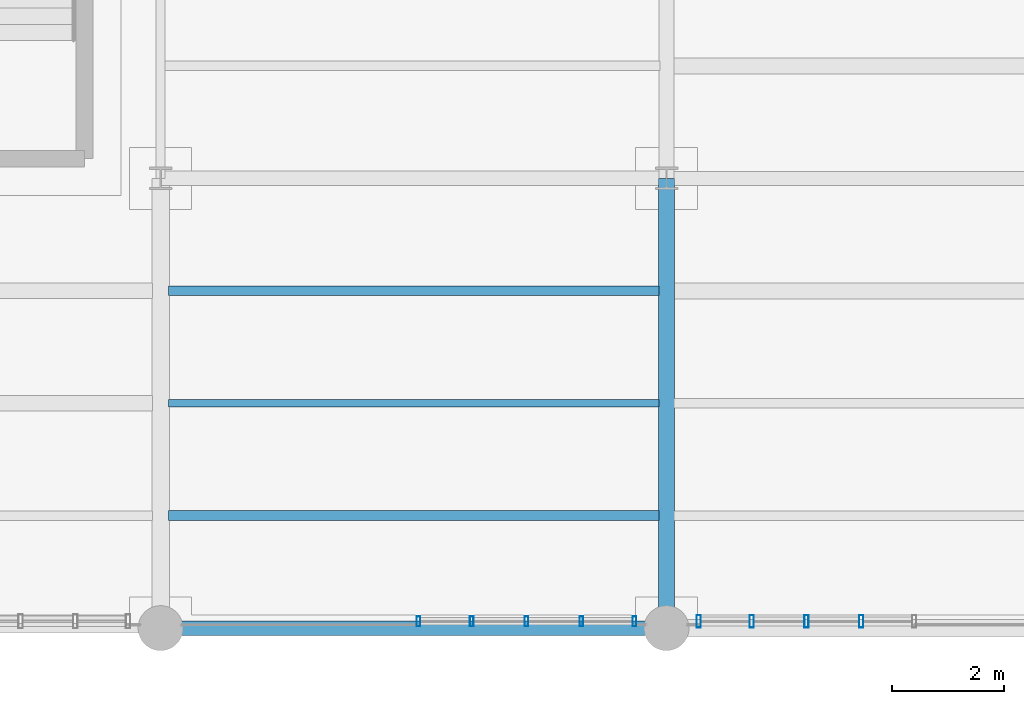
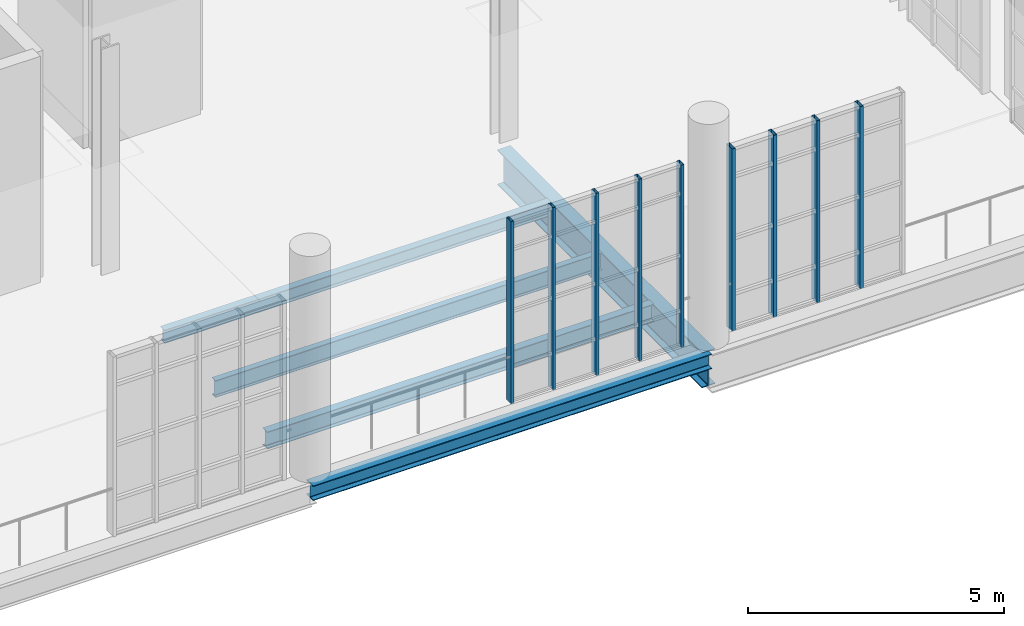
# One storey, part 71 of 142: 9 members, 5 beams, 2 elements without a shape of their own.
"""IFC4 building model written with IfcOpenShell, lengths in metres."""

from ifc_helpers import new_model, si_unit, direction, frame, origin, origin_2d, place, context, subcontext, project, spatial, hollow_rectangle, i_section, extrude, material, layer, layer_set, material_profile, profile_set, type_object, element, aggregate, save


model = new_model("IFC4")

# Units and contexts
model_context = context("Model", 3, precision=1e-05, world=origin(), true_north=direction((0.0, 1.0)))
body_context = subcontext(model_context, "Body", "Model", "MODEL_VIEW")
ifc_project = project(units=[si_unit("LENGTHUNIT", "METRE"), si_unit("AREAUNIT", "SQUARE_METRE"), si_unit("VOLUMEUNIT", "CUBIC_METRE"), si_unit("PLANEANGLEUNIT", "RADIAN"), si_unit("MASSUNIT", "GRAM", prefix="KILO"), si_unit("THERMODYNAMICTEMPERATUREUNIT", "KELVIN"), si_unit("POWERUNIT", "WATT")], contexts=[model_context])

# Site, building, storey
site_placement = place(None, origin())
site = spatial("IfcSite", under=ifc_project, at=site_placement, CompositionType="ELEMENT")
building_placement = place(site_placement, origin())
building = spatial("IfcBuilding", under=site, at=building_placement, Name="Zelmaris Science Centre", CompositionType="ELEMENT")
storey_placement = place(building_placement, frame((0.0, 0.0, 5.39990234375)))
storey = spatial("IfcBuildingStorey", under=building, at=storey_placement, Name="L01", CompositionType="ELEMENT", Elevation=5.39990234375)

# Curtain wall, members
ifc_material_1 = material(Name="Anodised architectural aluminium 6063-T6", Category="aluminium")
ifc_layer_1 = layer(ifc_material_1, 0.2099609375, Name="Anodised architectural aluminium 6063-T6")
ifc_layer_set_1 = layer_set([ifc_layer_1], Name="Anodised architectural aluminium 6063-T6")
curtain_wall_type_1 = type_object("IfcCurtainWallType", Name="Curtain Wall CW-03", PredefinedType="USERDEFINED", material=ifc_layer_set_1)
curtain_wall_1_placement = place(storey_placement, origin())
curtain_wall_1 = element("IfcCurtainWall", 1, at=curtain_wall_1_placement, inside=storey, type_object=curtain_wall_type_1, Name="L01 Unitised curtain wall 163", ObjectType="GLAZED CURTAIN WALL", PredefinedType="USERDEFINED")
ifc_material_profile_1 = material_profile(ifc_material_1, hollow_rectangle(XDim=0.06494140625, YDim=0.179931640625, WallThickness=0.00390625, at=origin_2d()), Name="ALU-MUL-65X180")
ifc_profile_set_1 = profile_set([ifc_material_profile_1], Name="Anodised architectural aluminium 6063-T6")
member_type_1 = type_object("IfcMemberType", Name="ALU-MUL-65X180", PredefinedType="MULLION", material=ifc_profile_set_1)
member_1_placement = place(storey_placement, frame((134.431396484375, 8.1201171875, -0.014892578125), z_axis=(0.0, 0.0, 1.0), x_axis=(-1.0, 0.0, 0.0)))
member_1 = element("IfcMember", 2, at=member_1_placement, type_object=member_type_1, Name="CW-03 mullion 1", PredefinedType="MULLION", context=body_context, shape_type="SweptSolid", body=[
    extrude(hollow_rectangle(XDim=0.06494140625, YDim=0.179931640625, WallThickness=0.00390625, at=origin_2d()), origin(), (0.0, 0.0, 1.0), 4.35009765625),
])
member_2_placement = place(storey_placement, frame((133.485107421875, 8.1201171875, -0.014892578125), z_axis=(0.0, 0.0, 1.0), x_axis=(-1.0, 0.0, 0.0)))
member_2 = element("IfcMember", 3, at=member_2_placement, type_object=member_type_1, Name="CW-03 mullion 2", PredefinedType="MULLION", context=body_context, shape_type="SweptSolid", body=[
    extrude(hollow_rectangle(XDim=0.06494140625, YDim=0.179931640625, WallThickness=0.00390625, at=origin_2d()), origin(), (0.0, 0.0, 1.0), 4.35009765625),
])
member_3_placement = place(storey_placement, frame((132.510009765625, 8.1201171875, -0.014892578125), z_axis=(0.0, 0.0, 1.0), x_axis=(-1.0, 0.0, 0.0)))
member_3 = element("IfcMember", 4, at=member_3_placement, type_object=member_type_1, Name="CW-03 mullion 3", PredefinedType="MULLION", context=body_context, shape_type="SweptSolid", body=[
    extrude(hollow_rectangle(XDim=0.06494140625, YDim=0.179931640625, WallThickness=0.00390625, at=origin_2d()), origin(), (0.0, 0.0, 1.0), 4.35009765625),
])
member_4_placement = place(storey_placement, frame((131.534912109375, 8.1201171875, -0.014892578125), z_axis=(0.0, 0.0, 1.0), x_axis=(-1.0, 0.0, 0.0)))
member_4 = element("IfcMember", 5, at=member_4_placement, type_object=member_type_1, Name="CW-03 mullion 4", PredefinedType="MULLION", context=body_context, shape_type="SweptSolid", body=[
    extrude(hollow_rectangle(XDim=0.06494140625, YDim=0.179931640625, WallThickness=0.00390625, at=origin_2d()), origin(), (0.0, 0.0, 1.0), 4.35009765625),
])
member_5_placement = place(storey_placement, frame((130.58837890625, 8.1201171875, -0.014892578125), z_axis=(0.0, 0.0, 1.0), x_axis=(-1.0, 0.0, 0.0)))
member_5 = element("IfcMember", 6, at=member_5_placement, type_object=member_type_1, Name="CW-03 mullion 5", PredefinedType="MULLION", context=body_context, shape_type="SweptSolid", body=[
    extrude(hollow_rectangle(XDim=0.06494140625, YDim=0.179931640625, WallThickness=0.00390625, at=origin_2d()), origin(), (0.0, 0.0, 1.0), 4.35009765625),
])
aggregate(curtain_wall_1, [member_1, member_2, member_3, member_4, member_5])

ifc_layer_2 = layer(ifc_material_1, 0.199951171875, Name="Anodised architectural aluminium 6063-T6")
ifc_layer_set_2 = layer_set([ifc_layer_2], Name="Anodised architectural aluminium 6063-T6")
curtain_wall_type_2 = type_object("IfcCurtainWallType", Name="Curtain Wall CW-02", PredefinedType="USERDEFINED", material=ifc_layer_set_2)
curtain_wall_2_placement = place(storey_placement, origin())
curtain_wall_2 = element("IfcCurtainWall", 7, at=curtain_wall_2_placement, inside=storey, type_object=curtain_wall_type_2, Name="L01 Unitised curtain wall 162", ObjectType="GLAZED CURTAIN WALL", PredefinedType="USERDEFINED")
ifc_material_profile_2 = material_profile(ifc_material_1, hollow_rectangle(XDim=0.074951171875, YDim=0.219970703125, WallThickness=0.0048828125, at=origin_2d()), Name="ALU-MUL-75X220")
ifc_profile_set_2 = profile_set([ifc_material_profile_2], Name="Anodised architectural aluminium 6063-T6")
member_type_2 = type_object("IfcMemberType", Name="ALU-MUL-75X220", PredefinedType="MULLION", material=ifc_profile_set_2)
member_6_placement = place(storey_placement, frame((138.465087890625, 8.1201171875, -0.014892578125), z_axis=(0.0, 0.0, 1.0), x_axis=(-1.0, 0.0, 0.0)))
member_6 = element("IfcMember", 8, at=member_6_placement, type_object=member_type_2, Name="CW-02 mullion 2", PredefinedType="MULLION", context=body_context, shape_type="SweptSolid", body=[
    extrude(hollow_rectangle(XDim=0.074951171875, YDim=0.219970703125, WallThickness=0.0048828125, at=origin_2d()), origin(), (0.0, 0.0, 1.0), 4.35009765625),
])
member_7_placement = place(storey_placement, frame((137.489990234375, 8.1201171875, -0.014892578125), z_axis=(0.0, 0.0, 1.0), x_axis=(-1.0, 0.0, 0.0)))
member_7 = element("IfcMember", 9, at=member_7_placement, type_object=member_type_2, Name="CW-02 mullion 3", PredefinedType="MULLION", context=body_context, shape_type="SweptSolid", body=[
    extrude(hollow_rectangle(XDim=0.074951171875, YDim=0.219970703125, WallThickness=0.0048828125, at=origin_2d()), origin(), (0.0, 0.0, 1.0), 4.35009765625),
])
member_8_placement = place(storey_placement, frame((136.514892578125, 8.1201171875, -0.014892578125), z_axis=(0.0, 0.0, 1.0), x_axis=(-1.0, 0.0, 0.0)))
member_8 = element("IfcMember", 10, at=member_8_placement, type_object=member_type_2, Name="CW-02 mullion 4", PredefinedType="MULLION", context=body_context, shape_type="SweptSolid", body=[
    extrude(hollow_rectangle(XDim=0.074951171875, YDim=0.219970703125, WallThickness=0.0048828125, at=origin_2d()), origin(), (0.0, 0.0, 1.0), 4.35009765625),
])
member_9_placement = place(storey_placement, frame((135.573486328125, 8.1201171875, -0.014892578125), z_axis=(0.0, 0.0, 1.0), x_axis=(-1.0, 0.0, 0.0)))
member_9 = element("IfcMember", 11, at=member_9_placement, type_object=member_type_2, Name="CW-02 mullion 5", PredefinedType="MULLION", context=body_context, shape_type="SweptSolid", body=[
    extrude(hollow_rectangle(XDim=0.074951171875, YDim=0.219970703125, WallThickness=0.0048828125, at=origin_2d()), origin(), (0.0, 0.0, 1.0), 4.35009765625),
])
aggregate(curtain_wall_2, [member_6, member_7, member_8, member_9])

# Beams
ifc_material_2 = material(Name="Steel ASTM A992 Grade 50", Category="steel")
ifc_material_profile_3 = material_profile(ifc_material_2, i_section(OverallWidth=0.2919921875, OverallDepth=0.841064453125, WebThickness=0.0146484375, FlangeThickness=0.021728515625, FilletRadius=0.02001953125, at=origin_2d()), Name="W33X130")
ifc_profile_set_3 = profile_set([ifc_material_profile_3], Name="Steel ASTM A992 Grade 50")
beam_type_1 = type_object("IfcBeamType", Name="Beam G-07 W33X130", PredefinedType="BEAM", material=ifc_profile_set_3)
beam_1_placement = place(storey_placement, frame((135.0, 8.0, -0.700439453125), z_axis=(0.0, 1.0, 0.0), x_axis=(-1.0, 0.0, 0.0)))
element("IfcBeam", 12, at=beam_1_placement, inside=storey, type_object=beam_type_1, Name="L01 North-south girder 313", PredefinedType="BEAM", context=body_context, shape_type="SweptSolid", body=[
    extrude(i_section(OverallWidth=0.2919921875, OverallDepth=0.841064453125, WebThickness=0.0146484375, FlangeThickness=0.021728515625, FilletRadius=0.02001953125, at=origin_2d()), origin(), (0.0, 0.0, 1.0), 8.0),
])
ifc_material_profile_4 = material_profile(ifc_material_2, i_section(OverallWidth=0.25390625, OverallDepth=0.35595703125, WebThickness=0.010498046875, FlangeThickness=0.018310546875, FilletRadius=0.014892578125, at=origin_2d()), Name="W14X68")
ifc_profile_set_4 = profile_set([ifc_material_profile_4], Name="Steel ASTM A992 Grade 50")
beam_type_2 = type_object("IfcBeamType", Name="Beam G-41 W14X68", PredefinedType="BEAM", material=ifc_profile_set_4)
beam_2_placement = place(storey_placement, frame((126.0, 8.0, -0.4580078125), z_axis=(1.0, 0.0, 0.0), x_axis=(0.0, 1.0, 0.0)))
element("IfcBeam", 13, at=beam_2_placement, inside=storey, type_object=beam_type_2, Name="L01 East-west girder 340", PredefinedType="BEAM", context=body_context, shape_type="SweptSolid", body=[
    extrude(i_section(OverallWidth=0.25390625, OverallDepth=0.35595703125, WebThickness=0.010498046875, FlangeThickness=0.018310546875, FilletRadius=0.014892578125, at=origin_2d()), origin(), (0.0, 0.0, 1.0), 9.0),
])
ifc_material_profile_5 = material_profile(ifc_material_2, i_section(OverallWidth=0.177978515625, OverallDepth=0.408935546875, WebThickness=0.0087890625, FlangeThickness=0.014404296875, FilletRadius=0.011962890625, at=origin_2d()), Name="W16X45")
ifc_profile_set_5 = profile_set([ifc_material_profile_5], Name="Steel ASTM A992 Grade 50")
beam_type_3 = type_object("IfcBeamType", Name="Beam J-07 W16X45", PredefinedType="JOIST", material=ifc_profile_set_5)
beam_3_placement = place(storey_placement, frame((126.14111328125, 10.0, -0.484375), z_axis=(1.0, 0.0, 0.0), x_axis=(0.0, 1.0, 0.0)))
element("IfcBeam", 14, at=beam_3_placement, inside=storey, type_object=beam_type_3, Name="L01 Composite floor joist 186", PredefinedType="JOIST", context=body_context, shape_type="SweptSolid", body=[
    extrude(i_section(OverallWidth=0.177978515625, OverallDepth=0.408935546875, WebThickness=0.0087890625, FlangeThickness=0.014404296875, FilletRadius=0.011962890625, at=origin_2d()), origin(), (0.0, 0.0, 1.0), 8.727783203125),
])
ifc_material_profile_6 = material_profile(ifc_material_2, i_section(OverallWidth=0.139892578125, OverallDepth=0.404052734375, WebThickness=0.007080078125, FlangeThickness=0.01123046875, FilletRadius=0.011962890625, at=origin_2d()), Name="W16X31")
ifc_profile_set_6 = profile_set([ifc_material_profile_6], Name="Steel ASTM A992 Grade 50")
beam_type_4 = type_object("IfcBeamType", Name="Beam J-08 W16X31", PredefinedType="JOIST", material=ifc_profile_set_6)
beam_4_placement = place(storey_placement, frame((126.14111328125, 12.0, -0.48193359375), z_axis=(1.0, 0.0, 0.0), x_axis=(0.0, 1.0, 0.0)))
element("IfcBeam", 15, at=beam_4_placement, inside=storey, type_object=beam_type_4, Name="L01 Composite floor joist 187", PredefinedType="JOIST", context=body_context, shape_type="SweptSolid", body=[
    extrude(i_section(OverallWidth=0.139892578125, OverallDepth=0.404052734375, WebThickness=0.007080078125, FlangeThickness=0.01123046875, FilletRadius=0.011962890625, at=origin_2d()), origin(), (0.0, 0.0, 1.0), 8.727783203125),
])
ifc_material_profile_7 = material_profile(ifc_material_2, i_section(OverallWidth=0.1669921875, OverallDepth=0.318115234375, WebThickness=0.007568359375, FlangeThickness=0.01318359375, FilletRadius=0.011962890625, at=origin_2d()), Name="W12X35")
ifc_profile_set_7 = profile_set([ifc_material_profile_7], Name="Steel ASTM A992 Grade 50")
beam_type_5 = type_object("IfcBeamType", Name="Beam J-09 W12X35", PredefinedType="JOIST", material=ifc_profile_set_7)
beam_5_placement = place(storey_placement, frame((126.14111328125, 14.0, -0.43896484375), z_axis=(1.0, 0.0, 0.0), x_axis=(0.0, 1.0, 0.0)))
element("IfcBeam", 16, at=beam_5_placement, inside=storey, type_object=beam_type_5, Name="L01 Composite floor joist 188", PredefinedType="JOIST", context=body_context, shape_type="SweptSolid", body=[
    extrude(i_section(OverallWidth=0.1669921875, OverallDepth=0.318115234375, WebThickness=0.007568359375, FlangeThickness=0.01318359375, FilletRadius=0.011962890625, at=origin_2d()), origin(), (0.0, 0.0, 1.0), 8.727783203125),
])

save(model, "model.ifc")
